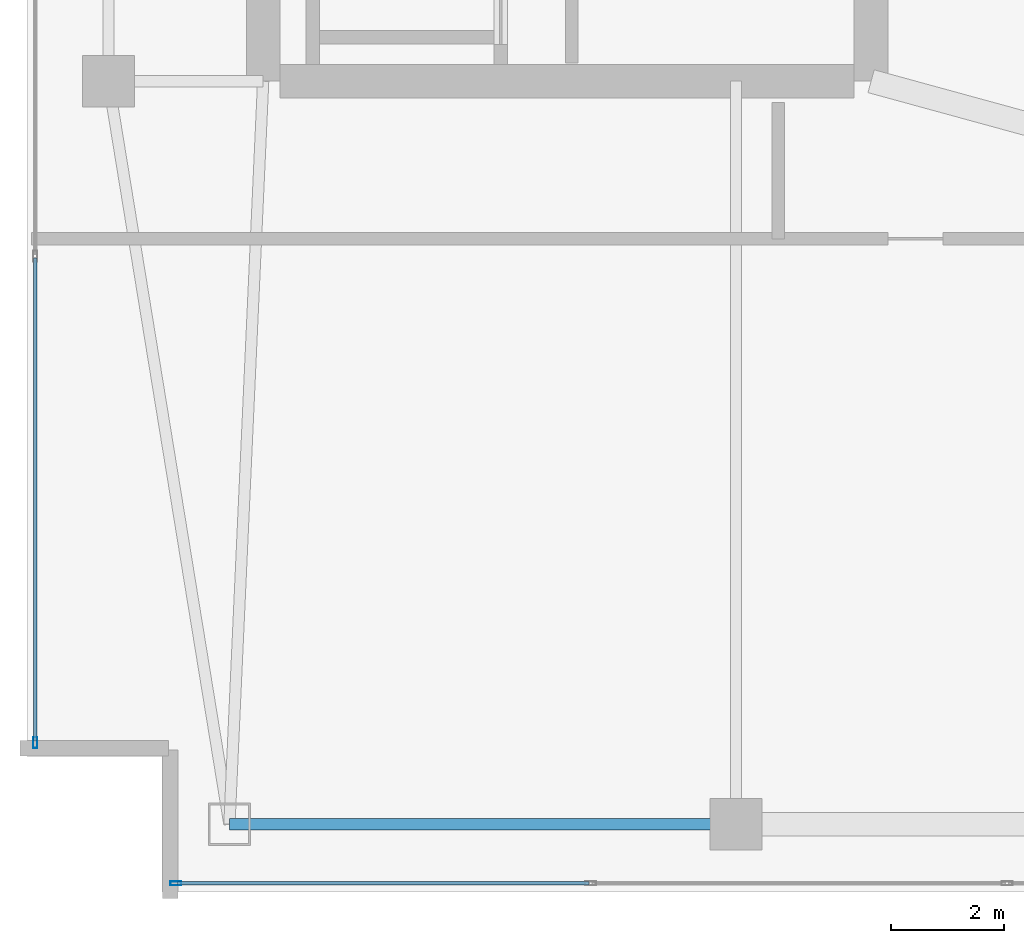
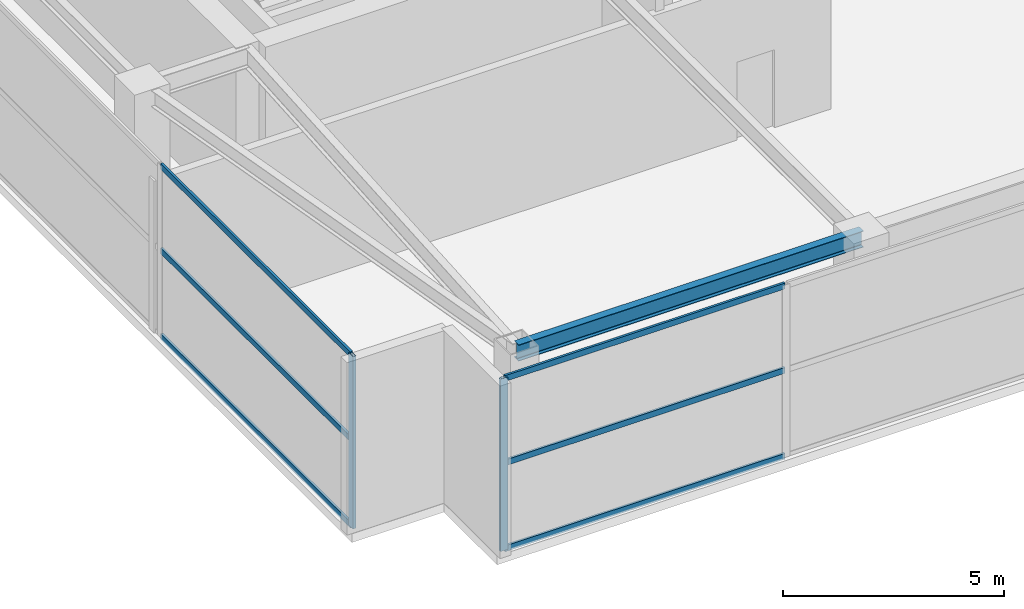
# One storey, part 3 of 21: 8 members, 1 beam, 2 elements without a shape of their own.
"""IFC4 building model written with IfcOpenShell, lengths in metres."""

from ifc_helpers import new_model, si_unit, direction, frame, origin, origin_2d, place, context, subcontext, project, spatial, hollow_rectangle, i_section, extrude, material, layer, layer_set, material_profile, profile_set, type_object, element, aggregate, save


model = new_model("IFC4")

# Units and contexts
model_context = context("Model", 3, precision=1e-05, world=origin(), true_north=direction((0.0, 1.0)))
body_context = subcontext(model_context, "Body", "Model", "MODEL_VIEW")
ifc_project = project(units=[si_unit("LENGTHUNIT", "METRE"), si_unit("AREAUNIT", "SQUARE_METRE"), si_unit("VOLUMEUNIT", "CUBIC_METRE"), si_unit("PLANEANGLEUNIT", "RADIAN"), si_unit("MASSUNIT", "GRAM", prefix="KILO")], contexts=[model_context])

# Site, building, storey
site_placement = place(None, origin())
site = spatial("IfcSite", under=ifc_project, at=site_placement, CompositionType="ELEMENT")
building_placement = place(site_placement, origin())
building = spatial("IfcBuilding", under=site, at=building_placement, Name="Calvorn Quay Hotel", CompositionType="ELEMENT")
storey_placement = place(building_placement, frame((0.0, 0.0, 320.5)))
storey = spatial("IfcBuildingStorey", under=building, at=storey_placement, Name="L79", CompositionType="ELEMENT", Elevation=320.5)

# Beam
ifc_material_1 = material(Name="Steel Q355B", Category="steel")
ifc_material_profile_1 = material_profile(ifc_material_1, i_section(OverallWidth=0.199951171875, OverallDepth=0.449951171875, WebThickness=0.009033203125, FlangeThickness=0.013916015625, FilletRadius=0.01611328125, at=origin_2d()), Name="HN450x200x9x14")
ifc_profile_set_1 = profile_set([ifc_material_profile_1], Name="Steel Q355B")
beam_type = type_object("IfcBeamType", Name="BM-SPANDREL-Z3", PredefinedType="SPANDREL", material=ifc_profile_set_1)
beam_placement = place(storey_placement, frame((3.60009765625, 3.60009765625, 4.514892578125), z_axis=(1.0, 0.0, 0.0), x_axis=(0.0, 1.0, 0.0)))
element("IfcBeam", 1, at=beam_placement, inside=storey, type_object=beam_type, Name="Beam BSP-L79-CS1", PredefinedType="SPANDREL", context=body_context, shape_type="SweptSolid", body=[
    extrude(i_section(OverallWidth=0.199951171875, OverallDepth=0.449951171875, WebThickness=0.009033203125, FlangeThickness=0.013916015625, FilletRadius=0.01611328125, at=origin_2d()), origin(), (0.0, 0.0, 1.0), 9.0),
])

# Curtain wall, member
ifc_material_2 = material(Name="Pale Anodised Aluminium and Laminated Glass", Category="aluminium")
ifc_layer = layer(ifc_material_2, 0.219970703125)
ifc_layer_set = layer_set([ifc_layer], Name="CW-SYS-CRN")
curtain_wall_type = type_object("IfcCurtainWallType", Name="CW-SYS-CRN", PredefinedType="NOTDEFINED", material=ifc_layer_set)
curtain_wall_1_placement = place(storey_placement, origin())
curtain_wall_1 = element("IfcCurtainWall", 2, at=curtain_wall_1_placement, inside=storey, type_object=curtain_wall_type, Name="Crown Curtain Wall L79-C1", PredefinedType="NOTDEFINED")
ifc_material_3 = material(Name="Pale Anodised Aluminium 6063-T6", Category="aluminium")
ifc_material_profile_2 = material_profile(ifc_material_3, hollow_rectangle(XDim=0.072021484375, YDim=0.195068359375, WallThickness=0.00390625, at=origin_2d()), Name="ALU-M195x72x4")
ifc_profile_set_2 = profile_set([ifc_material_profile_2], Name="Pale Anodised Aluminium 6063-T6")
member_type_1 = type_object("IfcMemberType", Name="CW-SYS-CRN-MUL", PredefinedType="MULLION", material=ifc_profile_set_2)
member_1_placement = place(storey_placement, frame((2.64990234375, 2.550048828125, 0.0), z_axis=(0.0, 0.0, 1.0), x_axis=(0.0, 1.0, 0.0)))
member_1 = element("IfcMember", 3, at=member_1_placement, type_object=member_type_1, Name="CW-L79-C1 mullion 1", PredefinedType="MULLION", context=body_context, shape_type="SweptSolid", body=[
    extrude(hollow_rectangle(XDim=0.072021484375, YDim=0.195068359375, WallThickness=0.00390625, at=origin_2d()), origin(), (0.0, 0.0, 1.0), 4.760009765625),
])

curtain_wall_2_placement = place(storey_placement, origin())
curtain_wall_2 = element("IfcCurtainWall", 4, at=curtain_wall_2_placement, inside=storey, type_object=curtain_wall_type, Name="Crown Curtain Wall L79-C5", PredefinedType="NOTDEFINED")
member_2_placement = place(storey_placement, frame((0.14990234375, 5.050048828125, 0.0), z_axis=(0.0, 0.0, 1.0), x_axis=(1.0, 0.0, 0.0)))
member_2 = element("IfcMember", 5, at=member_2_placement, type_object=member_type_1, Name="CW-L79-C5 mullion 6", PredefinedType="MULLION", context=body_context, shape_type="SweptSolid", body=[
    extrude(hollow_rectangle(XDim=0.072021484375, YDim=0.195068359375, WallThickness=0.00390625, at=origin_2d()), origin(), (0.0, 0.0, 1.0), 4.760009765625),
])

# Member
ifc_material_4 = material(Name="Pale Anodised Aluminium 6063-T6", Category="aluminium")
ifc_material_profile_3 = material_profile(ifc_material_4, hollow_rectangle(XDim=0.06201171875, YDim=0.159912109375, WallThickness=0.00341796875, at=origin_2d()), Name="ALU-T160x62x3.5")
ifc_profile_set_3 = profile_set([ifc_material_profile_3], Name="Pale Anodised Aluminium 6063-T6")
member_type_2 = type_object("IfcMemberType", Name="CW-SYS-CRN-TRN", PredefinedType="USERDEFINED", material=ifc_profile_set_3)
member_3_placement = place(storey_placement, frame((2.679931640625, 2.550048828125, 0.030029296875), z_axis=(1.0, 0.0, 0.0), x_axis=(0.0, 1.0, 0.0)))
member_3 = element("IfcMember", 6, at=member_3_placement, type_object=member_type_2, Name="CW-L79-C1 transom 1.1", ObjectType="TRANSOM", PredefinedType="USERDEFINED", context=body_context, shape_type="SweptSolid", body=[
    extrude(hollow_rectangle(XDim=0.06201171875, YDim=0.159912109375, WallThickness=0.00341796875, at=origin_2d()), origin(), (0.0, 0.0, 1.0), 7.308349609375),
])

member_4_placement = place(storey_placement, frame((2.679931640625, 2.550048828125, 2.39990234375), z_axis=(1.0, 0.0, 0.0), x_axis=(0.0, 1.0, 0.0)))
member_4 = element("IfcMember", 7, at=member_4_placement, type_object=member_type_2, Name="CW-L79-C1 transom 1.2", ObjectType="TRANSOM", PredefinedType="USERDEFINED", context=body_context, shape_type="SweptSolid", body=[
    extrude(hollow_rectangle(XDim=0.06201171875, YDim=0.159912109375, WallThickness=0.00341796875, at=origin_2d()), origin(), (0.0, 0.0, 1.0), 7.308349609375),
])

member_5_placement = place(storey_placement, frame((2.679931640625, 2.550048828125, 4.72998046875), z_axis=(1.0, 0.0, 0.0), x_axis=(0.0, 1.0, 0.0)))
member_5 = element("IfcMember", 8, at=member_5_placement, type_object=member_type_2, Name="CW-L79-C1 transom 1.3", ObjectType="TRANSOM", PredefinedType="USERDEFINED", context=body_context, shape_type="SweptSolid", body=[
    extrude(hollow_rectangle(XDim=0.06201171875, YDim=0.159912109375, WallThickness=0.00341796875, at=origin_2d()), origin(), (0.0, 0.0, 1.0), 7.308349609375),
])

aggregate(curtain_wall_1, [member_1, member_3, member_4, member_5])

member_6_placement = place(storey_placement, frame((0.14990234375, 13.662109375, 0.030029296875), z_axis=(0.0, -1.0, 0.0), x_axis=(1.0, 0.0, 0.0)))
member_6 = element("IfcMember", 9, at=member_6_placement, type_object=member_type_2, Name="CW-L79-C5 transom 5.1", ObjectType="TRANSOM", PredefinedType="USERDEFINED", context=body_context, shape_type="SweptSolid", body=[
    extrude(hollow_rectangle(XDim=0.06201171875, YDim=0.159912109375, WallThickness=0.00341796875, at=origin_2d()), origin(), (0.0, 0.0, 1.0), 8.58203125),
])

member_7_placement = place(storey_placement, frame((0.14990234375, 13.662109375, 2.39990234375), z_axis=(0.0, -1.0, 0.0), x_axis=(1.0, 0.0, 0.0)))
member_7 = element("IfcMember", 10, at=member_7_placement, type_object=member_type_2, Name="CW-L79-C5 transom 5.2", ObjectType="TRANSOM", PredefinedType="USERDEFINED", context=body_context, shape_type="SweptSolid", body=[
    extrude(hollow_rectangle(XDim=0.06201171875, YDim=0.159912109375, WallThickness=0.00341796875, at=origin_2d()), origin(), (0.0, 0.0, 1.0), 8.58203125),
])

member_8_placement = place(storey_placement, frame((0.14990234375, 13.662109375, 4.72998046875), z_axis=(0.0, -1.0, 0.0), x_axis=(1.0, 0.0, 0.0)))
member_8 = element("IfcMember", 11, at=member_8_placement, type_object=member_type_2, Name="CW-L79-C5 transom 5.3", ObjectType="TRANSOM", PredefinedType="USERDEFINED", context=body_context, shape_type="SweptSolid", body=[
    extrude(hollow_rectangle(XDim=0.06201171875, YDim=0.159912109375, WallThickness=0.00341796875, at=origin_2d()), origin(), (0.0, 0.0, 1.0), 8.58203125),
])

aggregate(curtain_wall_2, [member_2, member_6, member_7, member_8])

save(model, "model.ifc")
